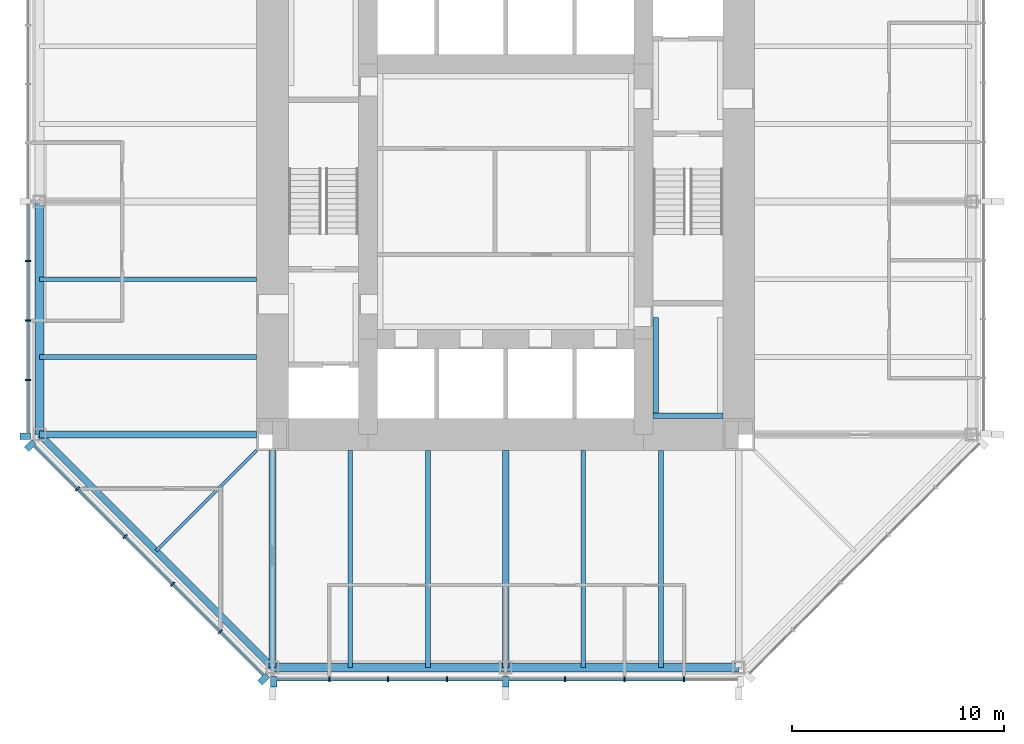
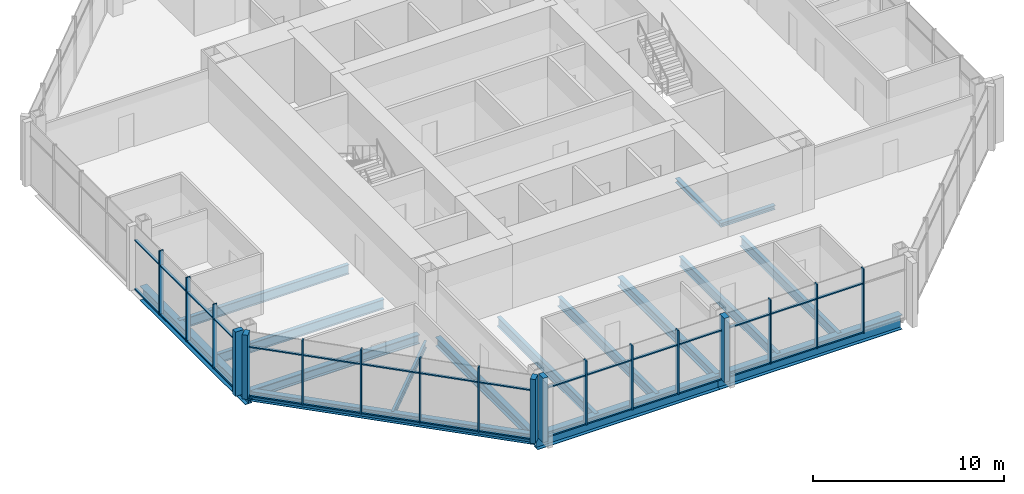
# One storey, part 2 of 12: 50 members, 16 beams, 3 elements without a shape of their own.
"""IFC4 building model written with IfcOpenShell, lengths in metres."""

import ifcopenshell
import ifcopenshell.guid

model = None  # the IFC model being written
_history = None  # IfcOwnerHistory: only IFC2X3 demands one
_inside = {}  # id of a spatial element -> (the spatial element, [elements in it])
_under = {}  # id of a project, library or spatial element -> (it, [spatial elements below it])
_declared = {}  # id of a project -> (the project, [libraries it declares])
_typed = {}  # id of a type object -> (the type object, [elements of that type])
_made_of = {}  # id of a material, layer set ... -> (it, [elements and type objects made of it])


def new_model(schema):
    """Start an empty IFC model of exactly this schema.

    Asked for "IFC4X3", IfcOpenShell would pick the latest addendum, in which some entities
    have other attributes; the version numbers below select the first issue.
    IFC2X3 requires an IfcOwnerHistory on every rooted entity: one is made here for all.
    """
    global model, _history
    if schema == "IFC4X3":
        model = ifcopenshell.file(schema_version=(4, 3, 0, 0))
    else:
        model = ifcopenshell.file(schema=schema)
    _inside.clear()
    _under.clear()
    _declared.clear()
    _typed.clear()
    _made_of.clear()
    _history = None
    if model.schema == "IFC2X3":
        org = make("IfcOrganization", Name="unknown")
        user = make(
            "IfcPersonAndOrganization",
            ThePerson=make("IfcPerson", FamilyName="unknown"),
            TheOrganization=org,
        )
        app = make(
            "IfcApplication",
            ApplicationDeveloper=org,
            Version="unknown",
            ApplicationFullName="unknown",
            ApplicationIdentifier="unknown",
        )
        _history = make(
            "IfcOwnerHistory",
            OwningUser=user,
            OwningApplication=app,
            ChangeAction="ADDED",
            CreationDate=0,
        )
    return model


def make(cls, **values):
    """One entity of the class cls with the attributes given. An attribute that is None is left unset."""
    return model.create_entity(
        cls, **{name: value for name, value in values.items() if value is not None}
    )


def rooted(cls, **values):
    """An entity with a GlobalId (a new one), such as an element, a storey or a relation."""
    return make(cls, GlobalId=ifcopenshell.guid.new(), OwnerHistory=_history, **values)


def si_unit(unit_type, name, prefix=None):
    """IfcSIUnit, for example si_unit("LENGTHUNIT", "METRE", prefix="MILLI")."""
    return make("IfcSIUnit", UnitType=unit_type, Prefix=prefix, Name=name)


def assignment(units):
    """IfcUnitAssignment: the units of a project."""
    return None if units is None else make("IfcUnitAssignment", Units=units)


def point(xyz):
    """IfcCartesianPoint."""
    return None if xyz is None else make("IfcCartesianPoint", Coordinates=xyz)


def direction(xyz):
    """IfcDirection."""
    return None if xyz is None else make("IfcDirection", DirectionRatios=xyz)


def frame(location, z_axis=None, x_axis=None):
    """IfcAxis2Placement3D, a coordinate frame: its origin and axes. An axis left out is left unset."""
    return make(
        "IfcAxis2Placement3D",
        Location=point(location),
        Axis=direction(z_axis),
        RefDirection=direction(x_axis),
    )


def frame_2d(location, x_axis=None):
    """IfcAxis2Placement2D, a coordinate frame in the plane: its origin and x axis."""
    return make(
        "IfcAxis2Placement2D", Location=point(location), RefDirection=direction(x_axis)
    )


def origin():
    """The frame at (0, 0, 0) with its axes left unset."""
    return frame((0.0, 0.0, 0.0))


def origin_2d():
    """The frame at (0, 0) in the plane with its x axis left unset."""
    return frame_2d((0.0, 0.0))


def place(relative_to, where):
    """IfcLocalPlacement: puts the frame where relative to a parent placement (None: the world)."""
    return make(
        "IfcLocalPlacement", PlacementRelTo=relative_to, RelativePlacement=where
    )


def context(
    kind, dimensions, precision=None, world=None, true_north=None, identifier=None
):
    """IfcGeometricRepresentationContext, for example the 3D "Model" context."""
    return make(
        "IfcGeometricRepresentationContext",
        ContextIdentifier=identifier,
        ContextType=kind,
        CoordinateSpaceDimension=dimensions,
        Precision=precision,
        WorldCoordinateSystem=world,
        TrueNorth=true_north,
    )


def subcontext(parent, identifier, kind, view, scale=None):
    """IfcGeometricRepresentationSubContext, for example "Body" below "Model"."""
    return make(
        "IfcGeometricRepresentationSubContext",
        ContextIdentifier=identifier,
        ContextType=kind,
        ParentContext=parent,
        TargetScale=scale,
        TargetView=view,
    )


def project(units=None, contexts=None):
    """IfcProject with its units and contexts."""
    return rooted(
        "IfcProject",
        Name="project",
        RepresentationContexts=contexts,
        UnitsInContext=assignment(units),
    )


def spatial(cls, under=None, at=None, **own):
    """A site, building, storey or space (cls), placed at a placement, below another one or the project."""
    s = rooted(cls, ObjectPlacement=at, **own)
    if under is not None:
        _under.setdefault(under.id(), (under, []))[1].append(s)
    return s


def profile(cls, at=None, kind="AREA", **sizes):
    """A parametric profile (cls). Its sizes go by their IFC names, for example OverallWidth=200.0."""
    return make(cls, ProfileType=kind, Position=at, **sizes)


def rectangle(**sizes):
    """IfcRectangleProfileDef."""
    return profile("IfcRectangleProfileDef", **sizes)


def i_section(**sizes):
    """IfcIShapeProfileDef."""
    return profile("IfcIShapeProfileDef", **sizes)


def extrude(swept, where, along, depth):
    """IfcExtrudedAreaSolid: the profile swept, set in the frame where, extruded along a direction by depth."""
    return make(
        "IfcExtrudedAreaSolid",
        SweptArea=swept,
        Position=where,
        ExtrudedDirection=direction(along),
        Depth=depth,
    )


def shape(context_of_items, identifier, shape_type, items):
    """IfcShapeRepresentation: the items that make up one representation, for example the "Body"."""
    return make(
        "IfcShapeRepresentation",
        ContextOfItems=context_of_items,
        RepresentationIdentifier=identifier,
        RepresentationType=shape_type,
        Items=items,
    )


def material(Name=None, Category=None):
    """IfcMaterial."""
    return make("IfcMaterial", Name=Name, Category=Category)


def material_profile(
    of_material, cross_section, Name=None, Category=None, Priority=None
):
    """IfcMaterialProfile: a cross section and its material."""
    return make(
        "IfcMaterialProfile",
        Name=Name,
        Material=of_material,
        Profile=cross_section,
        Priority=Priority,
        Category=Category,
    )


def profile_set(profiles, Name=None, composite=None):
    """IfcMaterialProfileSet."""
    return make(
        "IfcMaterialProfileSet",
        Name=Name,
        MaterialProfiles=profiles,
        CompositeProfile=composite,
    )


def made_of(thing, what):
    """Note that an element or type object is made of a material, layer set ...; save() writes the relation."""
    if what is not None:
        _made_of.setdefault(what.id(), (what, []))[1].append(thing)
    return thing


def type_object(cls, material=None, **own):
    """A type object (cls), such as IfcWallType, which elements share."""
    return made_of(rooted(cls, **own), material)


def element(
    cls,
    number,
    at=None,
    inside=None,
    cuts=None,
    type_object=None,
    material=None,
    context=None,
    identifier="Body",
    shape_type=None,
    held_by="IfcProductDefinitionShape",
    body=None,
    shapes=None,
    **own,
):
    """One element of the class cls, such as IfcWall. Its Tag is "e" and its number.

    at: its placement. inside: the storey or other place that contains it. cuts: it is an
    opening in that element (IfcRelVoidsElement). A single representation is given by context,
    identifier, shape_type and body (its items); several are given by shapes. held_by: the class
    of the entity that holds the representations. save() writes the other relations.
    """
    e = rooted(cls, Tag="e%d" % number, ObjectPlacement=at, **own)
    if body is not None:
        shapes = [shape(context, identifier, shape_type, body)]
    if shapes is not None:
        e.Representation = make(held_by, Representations=shapes)
    if inside is not None:
        _inside.setdefault(inside.id(), (inside, []))[1].append(e)
    if cuts is not None:
        rooted(
            "IfcRelVoidsElement", RelatingBuildingElement=cuts, RelatedOpeningElement=e
        )
    if type_object is not None:
        _typed.setdefault(type_object.id(), (type_object, []))[1].append(e)
    return made_of(e, material)


def aggregate(whole, parts):
    """IfcRelAggregates: a whole, such as a stair, and the parts it consists of."""
    return rooted("IfcRelAggregates", RelatingObject=whole, RelatedObjects=parts)


def save(model, path):
    """Write the relations noted so far, then the file.

    IfcRelAggregates (storeys below a building ...), IfcRelContainedInSpatialStructure (elements
    in a storey), IfcRelDefinesByType, IfcRelAssociatesMaterial and IfcRelDeclares: one each for
    every whole, place, type object, material and project.
    """
    for whole, parts in _under.values():
        aggregate(whole, parts)
    for where, things in _inside.values():
        rooted(
            "IfcRelContainedInSpatialStructure",
            RelatedElements=things,
            RelatingStructure=where,
        )
    for kind, things in _typed.values():
        rooted("IfcRelDefinesByType", RelatedObjects=things, RelatingType=kind)
    for what, things in _made_of.values():
        rooted("IfcRelAssociatesMaterial", RelatedObjects=things, RelatingMaterial=what)
    for by, libraries in _declared.values():
        rooted("IfcRelDeclares", RelatingContext=by, RelatedDefinitions=libraries)
    model.write(path)


model = new_model("IFC4")

# Units and contexts
model_context = context("Model", 3, precision=1e-05, world=origin(), true_north=direction((0.0, 1.0)))
body_context = subcontext(model_context, "Body", "Model", "MODEL_VIEW")
ifc_project = project(units=[si_unit("LENGTHUNIT", "METRE"), si_unit("AREAUNIT", "SQUARE_METRE"), si_unit("VOLUMEUNIT", "CUBIC_METRE"), si_unit("PLANEANGLEUNIT", "RADIAN"), si_unit("MASSUNIT", "GRAM", prefix="KILO")], contexts=[model_context])

# Site, building, storey
site_placement = place(None, origin())
site = spatial("IfcSite", under=ifc_project, at=site_placement, CompositionType="ELEMENT")
building_placement = place(site_placement, origin())
building = spatial("IfcBuilding", under=site, at=building_placement, Name="Trevanion Tower", CompositionType="ELEMENT")
storey_placement = place(building_placement, frame((0.0, 0.0, 154.10009765625)))
storey = spatial("IfcBuildingStorey", under=building, at=storey_placement, Name="L36", CompositionType="ELEMENT", Elevation=154.10009765625)

# Beams
ifc_material_1 = material(Name="Steel ASTM A992 Grade 50", Category="steel")
ifc_material_profile_1 = material_profile(ifc_material_1, i_section(OverallWidth=0.22900390625, OverallDepth=0.612060546875, WebThickness=0.011962890625, FlangeThickness=0.01953125, at=origin_2d()), Name="W24X84")
ifc_profile_set_1 = profile_set([ifc_material_profile_1], Name="Steel ASTM A992 Grade 50")
beam_type_1 = type_object("IfcBeamType", Name="B7 W24X84", PredefinedType="BEAM", material=ifc_profile_set_1)
for number, where, z_axis, x_axis, name in (
    (1, (-11.75, -3.666748046875, -0.49609375), (-1.0, 0.0, 0.0), (0.0, -1.0, 0.0), "B7 L36"),
    (2, (-11.75, -7.333251953125, -0.49609375), (-1.0, 0.0, 0.0), (0.0, -1.0, 0.0), "B7 L36"),
    (3, (-7.333251953125, -11.75, -0.49609375), (0.0, -1.0, 0.0), (1.0, 0.0, 0.0), "B7 L36"),
    (4, (-3.666748046875, -11.75, -0.49609375), (0.0, -1.0, 0.0), (1.0, 0.0, 0.0), "B7 L36"),
    (5, (3.666748046875, -11.75, -0.49609375), (0.0, -1.0, 0.0), (1.0, 0.0, 0.0), "B7 L36"),
    (6, (7.333251953125, -11.75, -0.49609375), (0.0, -1.0, 0.0), (1.0, 0.0, 0.0), "B7 L36"),
):
    element("IfcBeam", number, at=place(storey_placement, frame(where, z_axis=z_axis, x_axis=x_axis)), inside=storey, type_object=beam_type_1, Name=name, PredefinedType="BEAM", context=body_context, shape_type="SweptSolid", body=[
        extrude(i_section(OverallWidth=0.22900390625, OverallDepth=0.612060546875, WebThickness=0.011962890625, FlangeThickness=0.01953125, at=origin_2d()), origin(), (0.0, 0.0, 1.0), 10.25),
    ])
ifc_material_2 = material(Name="Steel ASTM A992 Grade 50", Category="steel")
ifc_material_profile_2 = material_profile(ifc_material_2, i_section(OverallWidth=0.15234375, OverallDepth=0.449462890625, WebThickness=0.007568359375, FlangeThickness=0.0107421875, at=origin_2d()), Name="W18X35")
ifc_profile_set_2 = profile_set([ifc_material_profile_2], Name="Steel ASTM A992 Grade 50")
beam_type_2 = type_object("IfcBeamType", Name="B8 W18X35", PredefinedType="BEAM", material=ifc_profile_set_2)
beam_1_placement = place(storey_placement, frame((-11.75, -11.75, -0.414794921875), z_axis=(-0.707106781187, -0.707106781187, 0.0), x_axis=(0.707106781187, -0.707106781187, 0.0)))
element("IfcBeam", 7, at=beam_1_placement, inside=storey, type_object=beam_type_2, Name="B8 L36", PredefinedType="BEAM", context=body_context, shape_type="SweptSolid", body=[
    extrude(i_section(OverallWidth=0.15234375, OverallDepth=0.449462890625, WebThickness=0.007568359375, FlangeThickness=0.0107421875, at=origin_2d()), origin(), (0.0, 0.0, 1.0), 6.717529296875),
])

# Curtain wall, members
ifc_material_3 = material(Name="Aluminium and glass", Category="aluminium")
curtain_wall_type = type_object("IfcCurtainWallType", Name="CW2 curtain wall", PredefinedType="USERDEFINED", material=ifc_material_3)
curtain_wall_1_placement = place(storey_placement, origin())
curtain_wall_1 = element("IfcCurtainWall", 8, at=curtain_wall_1_placement, inside=storey, type_object=curtain_wall_type, Name="CW2 L36 4", ObjectType="UNITISED CURTAIN WALL", PredefinedType="USERDEFINED")
ifc_material_4 = material(Name="Aluminium extrusion, anodised bronze", Category="aluminium")
ifc_material_profile_3 = material_profile(ifc_material_4, rectangle(XDim=0.074951171875, YDim=0.25, at=origin_2d()), Name="CW2 mullion")
ifc_profile_set_3 = profile_set([ifc_material_profile_3], Name="Aluminium extrusion, anodised bronze")
member_type_1 = type_object("IfcMemberType", Name="CW2 mullion", PredefinedType="MULLION", material=ifc_profile_set_3)
member_1_placement = place(storey_placement, frame((-22.550048828125, -2.806884765625, -0.190185546875), z_axis=(0.0, 0.0, 1.0), x_axis=(0.0, -1.0, 0.0)))
member_1 = element("IfcMember", 9, at=member_1_placement, type_object=member_type_1, Name="CW2 mullion 6", PredefinedType="MULLION", context=body_context, shape_type="SweptSolid", body=[
    extrude(rectangle(XDim=0.074951171875, YDim=0.25, at=origin_2d()), origin(), (0.0, 0.0, 1.0), 4.10009765625),
])
member_2_placement = place(storey_placement, frame((-22.550048828125, -5.614013671875, -0.190185546875), z_axis=(0.0, 0.0, 1.0), x_axis=(0.0, -1.0, 0.0)))
member_2 = element("IfcMember", 10, at=member_2_placement, type_object=member_type_1, Name="CW2 mullion 7", PredefinedType="MULLION", context=body_context, shape_type="SweptSolid", body=[
    extrude(rectangle(XDim=0.074951171875, YDim=0.25, at=origin_2d()), origin(), (0.0, 0.0, 1.0), 4.10009765625),
])
member_3_placement = place(storey_placement, frame((-22.550048828125, -8.4208984375, -0.190185546875), z_axis=(0.0, 0.0, 1.0), x_axis=(0.0, -1.0, 0.0)))
member_3 = element("IfcMember", 11, at=member_3_placement, type_object=member_type_1, Name="CW2 mullion 8", PredefinedType="MULLION", context=body_context, shape_type="SweptSolid", body=[
    extrude(rectangle(XDim=0.074951171875, YDim=0.25, at=origin_2d()), origin(), (0.0, 0.0, 1.0), 4.10009765625),
])

curtain_wall_2_placement = place(storey_placement, origin())
curtain_wall_2 = element("IfcCurtainWall", 12, at=curtain_wall_2_placement, inside=storey, type_object=curtain_wall_type, Name="CW2 L36 5", ObjectType="UNITISED CURTAIN WALL", PredefinedType="USERDEFINED")
member_4_placement = place(storey_placement, frame((-20.2119140625, -13.56591796875, -0.190185546875), z_axis=(0.0, 0.0, 1.0), x_axis=(0.707106781187, -0.707106781187, 0.0)))
member_4 = element("IfcMember", 13, at=member_4_placement, type_object=member_type_1, Name="CW2 mullion 2", PredefinedType="MULLION", context=body_context, shape_type="SweptSolid", body=[
    extrude(rectangle(XDim=0.074951171875, YDim=0.25, at=origin_2d()), origin(), (0.0, 0.0, 1.0), 4.10009765625),
])
member_5_placement = place(storey_placement, frame((-17.966064453125, -15.811767578125, -0.190185546875), z_axis=(0.0, 0.0, 1.0), x_axis=(0.707106781187, -0.707106781187, 0.0)))
member_5 = element("IfcMember", 14, at=member_5_placement, type_object=member_type_1, Name="CW2 mullion 3", PredefinedType="MULLION", context=body_context, shape_type="SweptSolid", body=[
    extrude(rectangle(XDim=0.074951171875, YDim=0.25, at=origin_2d()), origin(), (0.0, 0.0, 1.0), 4.10009765625),
])
member_6_placement = place(storey_placement, frame((-15.719970703125, -18.057861328125, -0.190185546875), z_axis=(0.0, 0.0, 1.0), x_axis=(0.707106781187, -0.707106781187, 0.0)))
member_6 = element("IfcMember", 15, at=member_6_placement, type_object=member_type_1, Name="CW2 mullion 4", PredefinedType="MULLION", context=body_context, shape_type="SweptSolid", body=[
    extrude(rectangle(XDim=0.074951171875, YDim=0.25, at=origin_2d()), origin(), (0.0, 0.0, 1.0), 4.10009765625),
])
member_7_placement = place(storey_placement, frame((-13.473876953125, -20.303955078125, -0.190185546875), z_axis=(0.0, 0.0, 1.0), x_axis=(0.707106781187, -0.707106781187, 0.0)))
member_7 = element("IfcMember", 16, at=member_7_placement, type_object=member_type_1, Name="CW2 mullion 5", PredefinedType="MULLION", context=body_context, shape_type="SweptSolid", body=[
    extrude(rectangle(XDim=0.074951171875, YDim=0.25, at=origin_2d()), origin(), (0.0, 0.0, 1.0), 4.10009765625),
])

curtain_wall_3_placement = place(storey_placement, origin())
curtain_wall_3 = element("IfcCurtainWall", 17, at=curtain_wall_3_placement, inside=storey, type_object=curtain_wall_type, Name="CW2 L36 6", ObjectType="UNITISED CURTAIN WALL", PredefinedType="USERDEFINED")
member_8_placement = place(storey_placement, frame((-8.323486328125, -22.550048828125, -0.190185546875), z_axis=(0.0, 0.0, 1.0), x_axis=(1.0, 0.0, 0.0)))
member_8 = element("IfcMember", 18, at=member_8_placement, type_object=member_type_1, Name="CW2 mullion 2", PredefinedType="MULLION", context=body_context, shape_type="SweptSolid", body=[
    extrude(rectangle(XDim=0.074951171875, YDim=0.25, at=origin_2d()), origin(), (0.0, 0.0, 1.0), 4.10009765625),
])
member_9_placement = place(storey_placement, frame((-5.548828125, -22.550048828125, -0.190185546875), z_axis=(0.0, 0.0, 1.0), x_axis=(1.0, 0.0, 0.0)))
member_9 = element("IfcMember", 19, at=member_9_placement, type_object=member_type_1, Name="CW2 mullion 3", PredefinedType="MULLION", context=body_context, shape_type="SweptSolid", body=[
    extrude(rectangle(XDim=0.074951171875, YDim=0.25, at=origin_2d()), origin(), (0.0, 0.0, 1.0), 4.10009765625),
])
member_10_placement = place(storey_placement, frame((-2.7744140625, -22.550048828125, -0.190185546875), z_axis=(0.0, 0.0, 1.0), x_axis=(1.0, 0.0, 0.0)))
member_10 = element("IfcMember", 20, at=member_10_placement, type_object=member_type_1, Name="CW2 mullion 4", PredefinedType="MULLION", context=body_context, shape_type="SweptSolid", body=[
    extrude(rectangle(XDim=0.074951171875, YDim=0.25, at=origin_2d()), origin(), (0.0, 0.0, 1.0), 4.10009765625),
])
member_11_placement = place(storey_placement, frame((2.806884765625, -22.550048828125, -0.190185546875), z_axis=(0.0, 0.0, 1.0), x_axis=(1.0, 0.0, 0.0)))
member_11 = element("IfcMember", 21, at=member_11_placement, type_object=member_type_1, Name="CW2 mullion 6", PredefinedType="MULLION", context=body_context, shape_type="SweptSolid", body=[
    extrude(rectangle(XDim=0.074951171875, YDim=0.25, at=origin_2d()), origin(), (0.0, 0.0, 1.0), 4.10009765625),
])
member_12_placement = place(storey_placement, frame((5.614013671875, -22.550048828125, -0.190185546875), z_axis=(0.0, 0.0, 1.0), x_axis=(1.0, 0.0, 0.0)))
member_12 = element("IfcMember", 22, at=member_12_placement, type_object=member_type_1, Name="CW2 mullion 7", PredefinedType="MULLION", context=body_context, shape_type="SweptSolid", body=[
    extrude(rectangle(XDim=0.074951171875, YDim=0.25, at=origin_2d()), origin(), (0.0, 0.0, 1.0), 4.10009765625),
])
member_13_placement = place(storey_placement, frame((8.4208984375, -22.550048828125, -0.190185546875), z_axis=(0.0, 0.0, 1.0), x_axis=(1.0, 0.0, 0.0)))
member_13 = element("IfcMember", 23, at=member_13_placement, type_object=member_type_1, Name="CW2 mullion 8", PredefinedType="MULLION", context=body_context, shape_type="SweptSolid", body=[
    extrude(rectangle(XDim=0.074951171875, YDim=0.25, at=origin_2d()), origin(), (0.0, 0.0, 1.0), 4.10009765625),
])

# Member
ifc_material_5 = material(Name="Aluminium extrusion, anodised bronze", Category="aluminium")
ifc_material_profile_4 = material_profile(ifc_material_5, rectangle(XDim=0.300048828125, YDim=0.5, at=origin_2d()), Name="CW2 pier mullion")
ifc_profile_set_4 = profile_set([ifc_material_profile_4], Name="Aluminium extrusion, anodised bronze")
member_type_2 = type_object("IfcMemberType", Name="CW2 pier mullion", PredefinedType="MULLION", material=ifc_profile_set_4)
member_14_placement = place(storey_placement, frame((-22.675048828125, -11.077880859375, -0.190185546875), z_axis=(0.0, 0.0, 1.0), x_axis=(0.0, -1.0, 0.0)))
member_14 = element("IfcMember", 24, at=member_14_placement, type_object=member_type_2, Name="CW2 pier mullion 9", PredefinedType="MULLION", context=body_context, shape_type="SweptSolid", body=[
    extrude(rectangle(XDim=0.300048828125, YDim=0.5, at=origin_2d()), origin(), (0.0, 0.0, 1.0), 4.10009765625),
])

member_15_placement = place(storey_placement, frame((-22.4404296875, -11.51416015625, -0.190185546875), z_axis=(0.0, 0.0, 1.0), x_axis=(0.707106781187, -0.707106781187, 0.0)))
member_15 = element("IfcMember", 25, at=member_15_placement, type_object=member_type_2, Name="CW2 pier mullion 1", PredefinedType="MULLION", context=body_context, shape_type="SweptSolid", body=[
    extrude(rectangle(XDim=0.300048828125, YDim=0.5, at=origin_2d()), origin(), (0.0, 0.0, 1.0), 4.10009765625),
])

member_16_placement = place(storey_placement, frame((-11.42236328125, -22.5322265625, -0.190185546875), z_axis=(0.0, 0.0, 1.0), x_axis=(0.707106781187, -0.707106781187, 0.0)))
member_16 = element("IfcMember", 26, at=member_16_placement, type_object=member_type_2, Name="CW2 pier mullion 6", PredefinedType="MULLION", context=body_context, shape_type="SweptSolid", body=[
    extrude(rectangle(XDim=0.300048828125, YDim=0.5, at=origin_2d()), origin(), (0.0, 0.0, 1.0), 4.10009765625),
])

member_17_placement = place(storey_placement, frame((-10.94775390625, -22.675048828125, -0.190185546875), z_axis=(0.0, 0.0, 1.0), x_axis=(1.0, 0.0, 0.0)))
member_17 = element("IfcMember", 27, at=member_17_placement, type_object=member_type_2, Name="CW2 pier mullion 1", PredefinedType="MULLION", context=body_context, shape_type="SweptSolid", body=[
    extrude(rectangle(XDim=0.300048828125, YDim=0.5, at=origin_2d()), origin(), (0.0, 0.0, 1.0), 4.10009765625),
])

member_18_placement = place(storey_placement, frame((0.0, -22.675048828125, -0.190185546875), z_axis=(0.0, 0.0, 1.0), x_axis=(1.0, 0.0, 0.0)))
member_18 = element("IfcMember", 28, at=member_18_placement, type_object=member_type_2, Name="CW2 pier mullion 5", PredefinedType="MULLION", context=body_context, shape_type="SweptSolid", body=[
    extrude(rectangle(XDim=0.300048828125, YDim=0.5, at=origin_2d()), origin(), (0.0, 0.0, 1.0), 4.10009765625),
])

ifc_material_6 = material(Name="Aluminium extrusion, anodised bronze", Category="aluminium")
ifc_material_profile_5 = material_profile(ifc_material_6, rectangle(XDim=0.14990234375, YDim=0.074951171875, at=origin_2d()), Name="CW2 transom")
ifc_profile_set_5 = profile_set([ifc_material_profile_5], Name="Aluminium extrusion, anodised bronze")
member_type_3 = type_object("IfcMemberType", Name="CW2 transom", PredefinedType="USERDEFINED", material=ifc_profile_set_5)
member_19_placement = place(storey_placement, frame((-22.550048828125, -0.14990234375, -0.152587890625), z_axis=(0.0, -1.0, 0.0), x_axis=(1.0, 0.0, 0.0)))
member_19 = element("IfcMember", 29, at=member_19_placement, type_object=member_type_3, Name="CW2 transom 5.1", ObjectType="TRANSOM", PredefinedType="USERDEFINED", context=body_context, shape_type="SweptSolid", body=[
    extrude(rectangle(XDim=0.14990234375, YDim=0.074951171875, at=origin_2d()), origin(), (0.0, 0.0, 1.0), 2.619384765625),
])

member_20_placement = place(storey_placement, frame((-22.550048828125, -0.14990234375, 2.9599609375), z_axis=(0.0, -1.0, 0.0), x_axis=(1.0, 0.0, 0.0)))
member_20 = element("IfcMember", 30, at=member_20_placement, type_object=member_type_3, Name="CW2 transom 5.2", ObjectType="TRANSOM", PredefinedType="USERDEFINED", context=body_context, shape_type="SweptSolid", body=[
    extrude(rectangle(XDim=0.14990234375, YDim=0.074951171875, at=origin_2d()), origin(), (0.0, 0.0, 1.0), 2.619384765625),
])

member_21_placement = place(storey_placement, frame((-22.550048828125, -2.844482421875, -0.152587890625), z_axis=(0.0, -1.0, 0.0), x_axis=(1.0, 0.0, 0.0)))
member_21 = element("IfcMember", 31, at=member_21_placement, type_object=member_type_3, Name="CW2 transom 6.1", ObjectType="TRANSOM", PredefinedType="USERDEFINED", context=body_context, shape_type="SweptSolid", body=[
    extrude(rectangle(XDim=0.14990234375, YDim=0.074951171875, at=origin_2d()), origin(), (0.0, 0.0, 1.0), 2.73193359375),
])

member_22_placement = place(storey_placement, frame((-22.550048828125, -2.844482421875, 2.9599609375), z_axis=(0.0, -1.0, 0.0), x_axis=(1.0, 0.0, 0.0)))
member_22 = element("IfcMember", 32, at=member_22_placement, type_object=member_type_3, Name="CW2 transom 6.2", ObjectType="TRANSOM", PredefinedType="USERDEFINED", context=body_context, shape_type="SweptSolid", body=[
    extrude(rectangle(XDim=0.14990234375, YDim=0.074951171875, at=origin_2d()), origin(), (0.0, 0.0, 1.0), 2.73193359375),
])

member_23_placement = place(storey_placement, frame((-22.550048828125, -5.6513671875, -0.152587890625), z_axis=(0.0, -1.0, 0.0), x_axis=(1.0, 0.0, 0.0)))
member_23 = element("IfcMember", 33, at=member_23_placement, type_object=member_type_3, Name="CW2 transom 7.1", ObjectType="TRANSOM", PredefinedType="USERDEFINED", context=body_context, shape_type="SweptSolid", body=[
    extrude(rectangle(XDim=0.14990234375, YDim=0.074951171875, at=origin_2d()), origin(), (0.0, 0.0, 1.0), 2.73193359375),
])

member_24_placement = place(storey_placement, frame((-22.550048828125, -5.6513671875, 2.9599609375), z_axis=(0.0, -1.0, 0.0), x_axis=(1.0, 0.0, 0.0)))
member_24 = element("IfcMember", 34, at=member_24_placement, type_object=member_type_3, Name="CW2 transom 7.2", ObjectType="TRANSOM", PredefinedType="USERDEFINED", context=body_context, shape_type="SweptSolid", body=[
    extrude(rectangle(XDim=0.14990234375, YDim=0.074951171875, at=origin_2d()), origin(), (0.0, 0.0, 1.0), 2.73193359375),
])

member_25_placement = place(storey_placement, frame((-22.550048828125, -8.45849609375, -0.152587890625), z_axis=(0.0, -1.0, 0.0), x_axis=(1.0, 0.0, 0.0)))
member_25 = element("IfcMember", 35, at=member_25_placement, type_object=member_type_3, Name="CW2 transom 8.1", ObjectType="TRANSOM", PredefinedType="USERDEFINED", context=body_context, shape_type="SweptSolid", body=[
    extrude(rectangle(XDim=0.14990234375, YDim=0.074951171875, at=origin_2d()), origin(), (0.0, 0.0, 1.0), 2.46923828125),
])

member_26_placement = place(storey_placement, frame((-22.550048828125, -8.45849609375, 2.9599609375), z_axis=(0.0, -1.0, 0.0), x_axis=(1.0, 0.0, 0.0)))
member_26 = element("IfcMember", 36, at=member_26_placement, type_object=member_type_3, Name="CW2 transom 8.2", ObjectType="TRANSOM", PredefinedType="USERDEFINED", context=body_context, shape_type="SweptSolid", body=[
    extrude(rectangle(XDim=0.14990234375, YDim=0.074951171875, at=origin_2d()), origin(), (0.0, 0.0, 1.0), 2.46923828125),
])

aggregate(curtain_wall_1, [member_1, member_2, member_3, member_14, member_19, member_20, member_21, member_22, member_23, member_24, member_25, member_26])

member_27_placement = place(storey_placement, frame((-22.245849609375, -11.531982421875, -0.152587890625), z_axis=(0.707106781187, -0.707106781187, 0.0), x_axis=(0.707106781187, 0.707106781187, 0.0)))
member_27 = element("IfcMember", 37, at=member_27_placement, type_object=member_type_3, Name="CW2 transom 1.1", ObjectType="TRANSOM", PredefinedType="USERDEFINED", context=body_context, shape_type="SweptSolid", body=[
    extrude(rectangle(XDim=0.14990234375, YDim=0.074951171875, at=origin_2d()), origin(), (0.0, 0.0, 1.0), 2.8388671875),
])

member_28_placement = place(storey_placement, frame((-22.245849609375, -11.531982421875, 2.9599609375), z_axis=(0.707106781187, -0.707106781187, 0.0), x_axis=(0.707106781187, 0.707106781187, 0.0)))
member_28 = element("IfcMember", 38, at=member_28_placement, type_object=member_type_3, Name="CW2 transom 1.2", ObjectType="TRANSOM", PredefinedType="USERDEFINED", context=body_context, shape_type="SweptSolid", body=[
    extrude(rectangle(XDim=0.14990234375, YDim=0.074951171875, at=origin_2d()), origin(), (0.0, 0.0, 1.0), 2.8388671875),
])

member_29_placement = place(storey_placement, frame((-20.185546875, -13.59228515625, -0.152587890625), z_axis=(0.707106781187, -0.707106781187, 0.0), x_axis=(0.707106781187, 0.707106781187, 0.0)))
member_29 = element("IfcMember", 39, at=member_29_placement, type_object=member_type_3, Name="CW2 transom 2.1", ObjectType="TRANSOM", PredefinedType="USERDEFINED", context=body_context, shape_type="SweptSolid", body=[
    extrude(rectangle(XDim=0.14990234375, YDim=0.074951171875, at=origin_2d()), origin(), (0.0, 0.0, 1.0), 3.1015625),
])

member_30_placement = place(storey_placement, frame((-20.185546875, -13.59228515625, 2.9599609375), z_axis=(0.707106781187, -0.707106781187, 0.0), x_axis=(0.707106781187, 0.707106781187, 0.0)))
member_30 = element("IfcMember", 40, at=member_30_placement, type_object=member_type_3, Name="CW2 transom 2.2", ObjectType="TRANSOM", PredefinedType="USERDEFINED", context=body_context, shape_type="SweptSolid", body=[
    extrude(rectangle(XDim=0.14990234375, YDim=0.074951171875, at=origin_2d()), origin(), (0.0, 0.0, 1.0), 3.1015625),
])

member_31_placement = place(storey_placement, frame((-17.939453125, -15.83837890625, -0.152587890625), z_axis=(0.707106781187, -0.707106781187, 0.0), x_axis=(0.707106781187, 0.707106781187, 0.0)))
member_31 = element("IfcMember", 41, at=member_31_placement, type_object=member_type_3, Name="CW2 transom 3.1", ObjectType="TRANSOM", PredefinedType="USERDEFINED", context=body_context, shape_type="SweptSolid", body=[
    extrude(rectangle(XDim=0.14990234375, YDim=0.074951171875, at=origin_2d()), origin(), (0.0, 0.0, 1.0), 3.1015625),
])

member_32_placement = place(storey_placement, frame((-17.939453125, -15.83837890625, 2.9599609375), z_axis=(0.707106781187, -0.707106781187, 0.0), x_axis=(0.707106781187, 0.707106781187, 0.0)))
member_32 = element("IfcMember", 42, at=member_32_placement, type_object=member_type_3, Name="CW2 transom 3.2", ObjectType="TRANSOM", PredefinedType="USERDEFINED", context=body_context, shape_type="SweptSolid", body=[
    extrude(rectangle(XDim=0.14990234375, YDim=0.074951171875, at=origin_2d()), origin(), (0.0, 0.0, 1.0), 3.1015625),
])

member_33_placement = place(storey_placement, frame((-15.693359375, -18.08447265625, -0.152587890625), z_axis=(0.707106781187, -0.707106781187, 0.0), x_axis=(0.707106781187, 0.707106781187, 0.0)))
member_33 = element("IfcMember", 43, at=member_33_placement, type_object=member_type_3, Name="CW2 transom 4.1", ObjectType="TRANSOM", PredefinedType="USERDEFINED", context=body_context, shape_type="SweptSolid", body=[
    extrude(rectangle(XDim=0.14990234375, YDim=0.074951171875, at=origin_2d()), origin(), (0.0, 0.0, 1.0), 3.10107421875),
])

member_34_placement = place(storey_placement, frame((-15.693359375, -18.08447265625, 2.9599609375), z_axis=(0.707106781187, -0.707106781187, 0.0), x_axis=(0.707106781187, 0.707106781187, 0.0)))
member_34 = element("IfcMember", 44, at=member_34_placement, type_object=member_type_3, Name="CW2 transom 4.2", ObjectType="TRANSOM", PredefinedType="USERDEFINED", context=body_context, shape_type="SweptSolid", body=[
    extrude(rectangle(XDim=0.14990234375, YDim=0.074951171875, at=origin_2d()), origin(), (0.0, 0.0, 1.0), 3.10107421875),
])

member_35_placement = place(storey_placement, frame((-13.447509765625, -20.33056640625, -0.152587890625), z_axis=(0.707149778163, -0.707063781595, 0.0), x_axis=(0.707063781595, 0.707149778163, 0.0)))
member_35 = element("IfcMember", 45, at=member_35_placement, type_object=member_type_3, Name="CW2 transom 5.1", ObjectType="TRANSOM", PredefinedType="USERDEFINED", context=body_context, shape_type="SweptSolid", body=[
    extrude(rectangle(XDim=0.14990234375, YDim=0.074951171875, at=origin_2d()), origin(), (0.0, 0.0, 1.0), 2.8388671875),
])

member_36_placement = place(storey_placement, frame((-13.447509765625, -20.33056640625, 2.9599609375), z_axis=(0.707149778163, -0.707063781595, 0.0), x_axis=(0.707063781595, 0.707149778163, 0.0)))
member_36 = element("IfcMember", 46, at=member_36_placement, type_object=member_type_3, Name="CW2 transom 5.2", ObjectType="TRANSOM", PredefinedType="USERDEFINED", context=body_context, shape_type="SweptSolid", body=[
    extrude(rectangle(XDim=0.14990234375, YDim=0.074951171875, at=origin_2d()), origin(), (0.0, 0.0, 1.0), 2.8388671875),
])

aggregate(curtain_wall_2, [member_15, member_4, member_5, member_6, member_7, member_16, member_27, member_28, member_29, member_30, member_31, member_32, member_33, member_34, member_35, member_36])

member_37_placement = place(storey_placement, frame((-10.7978515625, -22.550048828125, -0.152587890625), z_axis=(1.0, 0.0, 0.0), x_axis=(0.0, 1.0, 0.0)))
member_37 = element("IfcMember", 47, at=member_37_placement, type_object=member_type_3, Name="CW2 transom 1.1", ObjectType="TRANSOM", PredefinedType="USERDEFINED", context=body_context, shape_type="SweptSolid", body=[
    extrude(rectangle(XDim=0.14990234375, YDim=0.074951171875, at=origin_2d()), origin(), (0.0, 0.0, 1.0), 2.43701171875),
])

member_38_placement = place(storey_placement, frame((-10.7978515625, -22.550048828125, 2.9599609375), z_axis=(1.0, 0.0, 0.0), x_axis=(0.0, 1.0, 0.0)))
member_38 = element("IfcMember", 48, at=member_38_placement, type_object=member_type_3, Name="CW2 transom 1.2", ObjectType="TRANSOM", PredefinedType="USERDEFINED", context=body_context, shape_type="SweptSolid", body=[
    extrude(rectangle(XDim=0.14990234375, YDim=0.074951171875, at=origin_2d()), origin(), (0.0, 0.0, 1.0), 2.43701171875),
])

member_39_placement = place(storey_placement, frame((-8.285888671875, -22.550048828125, -0.152587890625), z_axis=(1.0, 0.0, 0.0), x_axis=(0.0, 1.0, 0.0)))
member_39 = element("IfcMember", 49, at=member_39_placement, type_object=member_type_3, Name="CW2 transom 2.1", ObjectType="TRANSOM", PredefinedType="USERDEFINED", context=body_context, shape_type="SweptSolid", body=[
    extrude(rectangle(XDim=0.14990234375, YDim=0.074951171875, at=origin_2d()), origin(), (0.0, 0.0, 1.0), 2.699462890625),
])

member_40_placement = place(storey_placement, frame((-8.285888671875, -22.550048828125, 2.9599609375), z_axis=(1.0, 0.0, 0.0), x_axis=(0.0, 1.0, 0.0)))
member_40 = element("IfcMember", 50, at=member_40_placement, type_object=member_type_3, Name="CW2 transom 2.2", ObjectType="TRANSOM", PredefinedType="USERDEFINED", context=body_context, shape_type="SweptSolid", body=[
    extrude(rectangle(XDim=0.14990234375, YDim=0.074951171875, at=origin_2d()), origin(), (0.0, 0.0, 1.0), 2.699462890625),
])

member_41_placement = place(storey_placement, frame((-5.511474609375, -22.550048828125, -0.152587890625), z_axis=(1.0, 0.0, 0.0), x_axis=(0.0, 1.0, 0.0)))
member_41 = element("IfcMember", 51, at=member_41_placement, type_object=member_type_3, Name="CW2 transom 3.1", ObjectType="TRANSOM", PredefinedType="USERDEFINED", context=body_context, shape_type="SweptSolid", body=[
    extrude(rectangle(XDim=0.14990234375, YDim=0.074951171875, at=origin_2d()), origin(), (0.0, 0.0, 1.0), 2.699462890625),
])

member_42_placement = place(storey_placement, frame((-5.511474609375, -22.550048828125, 2.9599609375), z_axis=(1.0, 0.0, 0.0), x_axis=(0.0, 1.0, 0.0)))
member_42 = element("IfcMember", 52, at=member_42_placement, type_object=member_type_3, Name="CW2 transom 3.2", ObjectType="TRANSOM", PredefinedType="USERDEFINED", context=body_context, shape_type="SweptSolid", body=[
    extrude(rectangle(XDim=0.14990234375, YDim=0.074951171875, at=origin_2d()), origin(), (0.0, 0.0, 1.0), 2.699462890625),
])

member_43_placement = place(storey_placement, frame((-2.737060546875, -22.550048828125, -0.152587890625), z_axis=(1.0, 0.0, 0.0), x_axis=(0.0, 1.0, 0.0)))
member_43 = element("IfcMember", 53, at=member_43_placement, type_object=member_type_3, Name="CW2 transom 4.1", ObjectType="TRANSOM", PredefinedType="USERDEFINED", context=body_context, shape_type="SweptSolid", body=[
    extrude(rectangle(XDim=0.14990234375, YDim=0.074951171875, at=origin_2d()), origin(), (0.0, 0.0, 1.0), 2.587158203125),
])

member_44_placement = place(storey_placement, frame((-2.737060546875, -22.550048828125, 2.9599609375), z_axis=(1.0, 0.0, 0.0), x_axis=(0.0, 1.0, 0.0)))
member_44 = element("IfcMember", 54, at=member_44_placement, type_object=member_type_3, Name="CW2 transom 4.2", ObjectType="TRANSOM", PredefinedType="USERDEFINED", context=body_context, shape_type="SweptSolid", body=[
    extrude(rectangle(XDim=0.14990234375, YDim=0.074951171875, at=origin_2d()), origin(), (0.0, 0.0, 1.0), 2.587158203125),
])

member_45_placement = place(storey_placement, frame((0.14990234375, -22.550048828125, -0.152587890625), z_axis=(1.0, 0.0, 0.0), x_axis=(0.0, 1.0, 0.0)))
member_45 = element("IfcMember", 55, at=member_45_placement, type_object=member_type_3, Name="CW2 transom 5.1", ObjectType="TRANSOM", PredefinedType="USERDEFINED", context=body_context, shape_type="SweptSolid", body=[
    extrude(rectangle(XDim=0.14990234375, YDim=0.074951171875, at=origin_2d()), origin(), (0.0, 0.0, 1.0), 2.619384765625),
])

member_46_placement = place(storey_placement, frame((0.14990234375, -22.550048828125, 2.9599609375), z_axis=(1.0, 0.0, 0.0), x_axis=(0.0, 1.0, 0.0)))
member_46 = element("IfcMember", 56, at=member_46_placement, type_object=member_type_3, Name="CW2 transom 5.2", ObjectType="TRANSOM", PredefinedType="USERDEFINED", context=body_context, shape_type="SweptSolid", body=[
    extrude(rectangle(XDim=0.14990234375, YDim=0.074951171875, at=origin_2d()), origin(), (0.0, 0.0, 1.0), 2.619384765625),
])

member_47_placement = place(storey_placement, frame((2.844482421875, -22.550048828125, -0.152587890625), z_axis=(1.0, 0.0, 0.0), x_axis=(0.0, 1.0, 0.0)))
member_47 = element("IfcMember", 57, at=member_47_placement, type_object=member_type_3, Name="CW2 transom 6.1", ObjectType="TRANSOM", PredefinedType="USERDEFINED", context=body_context, shape_type="SweptSolid", body=[
    extrude(rectangle(XDim=0.14990234375, YDim=0.074951171875, at=origin_2d()), origin(), (0.0, 0.0, 1.0), 2.73193359375),
])

member_48_placement = place(storey_placement, frame((2.844482421875, -22.550048828125, 2.9599609375), z_axis=(1.0, 0.0, 0.0), x_axis=(0.0, 1.0, 0.0)))
member_48 = element("IfcMember", 58, at=member_48_placement, type_object=member_type_3, Name="CW2 transom 6.2", ObjectType="TRANSOM", PredefinedType="USERDEFINED", context=body_context, shape_type="SweptSolid", body=[
    extrude(rectangle(XDim=0.14990234375, YDim=0.074951171875, at=origin_2d()), origin(), (0.0, 0.0, 1.0), 2.73193359375),
])

member_49_placement = place(storey_placement, frame((5.6513671875, -22.550048828125, -0.152587890625), z_axis=(1.0, 0.0, 0.0), x_axis=(0.0, 1.0, 0.0)))
member_49 = element("IfcMember", 59, at=member_49_placement, type_object=member_type_3, Name="CW2 transom 7.1", ObjectType="TRANSOM", PredefinedType="USERDEFINED", context=body_context, shape_type="SweptSolid", body=[
    extrude(rectangle(XDim=0.14990234375, YDim=0.074951171875, at=origin_2d()), origin(), (0.0, 0.0, 1.0), 2.73193359375),
])

member_50_placement = place(storey_placement, frame((5.6513671875, -22.550048828125, 2.9599609375), z_axis=(1.0, 0.0, 0.0), x_axis=(0.0, 1.0, 0.0)))
member_50 = element("IfcMember", 60, at=member_50_placement, type_object=member_type_3, Name="CW2 transom 7.2", ObjectType="TRANSOM", PredefinedType="USERDEFINED", context=body_context, shape_type="SweptSolid", body=[
    extrude(rectangle(XDim=0.14990234375, YDim=0.074951171875, at=origin_2d()), origin(), (0.0, 0.0, 1.0), 2.73193359375),
])

aggregate(curtain_wall_3, [member_17, member_8, member_9, member_10, member_18, member_11, member_12, member_13, member_37, member_38, member_39, member_40, member_41, member_42, member_43, member_44, member_45, member_46, member_47, member_48, member_49, member_50])

# Beams
ifc_material_7 = material(Name="Steel ASTM A992 Grade 50", Category="steel")
ifc_material_profile_6 = material_profile(ifc_material_7, i_section(OverallWidth=0.320068359375, OverallDepth=0.584228515625, WebThickness=0.023193359375, FlangeThickness=0.04150390625, at=origin_2d()), Name="W21X201")
ifc_profile_set_6 = profile_set([ifc_material_profile_6], Name="Steel ASTM A992 Grade 50")
beam_type_3 = type_object("IfcBeamType", Name="G4 W21X201", PredefinedType="BEAM", material=ifc_profile_set_6)
for number, where, z_axis, x_axis, name in (
    (61, (-11.75, -11.0, -0.482177734375), (-1.0, 0.0, 0.0), (0.0, -1.0, 0.0), "G4 L36"),
    (62, (-11.0, -11.75, -0.482177734375), (0.0, -1.0, 0.0), (1.0, 0.0, 0.0), "G4 L36"),
    (63, (0.0, -11.75, -0.482177734375), (0.0, -1.0, 0.0), (1.0, 0.0, 0.0), "G4 L36"),
):
    element("IfcBeam", number, at=place(storey_placement, frame(where, z_axis=z_axis, x_axis=x_axis)), inside=storey, type_object=beam_type_3, Name=name, PredefinedType="BEAM", context=body_context, shape_type="SweptSolid", body=[
        extrude(i_section(OverallWidth=0.320068359375, OverallDepth=0.584228515625, WebThickness=0.023193359375, FlangeThickness=0.04150390625, at=origin_2d()), origin(), (0.0, 0.0, 1.0), 10.25),
    ])
ifc_material_8 = material(Name="Steel ASTM A992 Grade 50", Category="steel")
ifc_material_profile_7 = material_profile(ifc_material_8, i_section(OverallWidth=0.256591796875, OverallDepth=0.26416015625, WebThickness=0.011962890625, FlangeThickness=0.01953125, at=origin_2d()), Name="W10X68")
ifc_profile_set_7 = profile_set([ifc_material_profile_7], Name="Steel ASTM A992 Grade 50")
beam_type_4 = type_object("IfcBeamType", Name="LB1 W10X68", PredefinedType="BEAM", material=ifc_profile_set_7)
beam_2_placement = place(storey_placement, frame((7.078369140625, -10.25, -0.332275390625), z_axis=(0.0, 1.0, 0.0), x_axis=(-1.0, 0.0, 0.0)))
element("IfcBeam", 64, at=beam_2_placement, inside=storey, type_object=beam_type_4, Name="LB1 L36", PredefinedType="BEAM", context=body_context, shape_type="SweptSolid", body=[
    extrude(i_section(OverallWidth=0.256591796875, OverallDepth=0.26416015625, WebThickness=0.011962890625, FlangeThickness=0.01953125, at=origin_2d()), origin(), (0.0, 0.0, 1.0), 4.77490234375),
])
beam_3_placement = place(storey_placement, frame((6.949951171875, -10.12158203125, -0.332275390625), z_axis=(1.0, 0.0, 0.0), x_axis=(0.0, 1.0, 0.0)))
element("IfcBeam", 65, at=beam_3_placement, inside=storey, type_object=beam_type_4, Name="LB1 L36", PredefinedType="BEAM", context=body_context, shape_type="SweptSolid", body=[
    extrude(i_section(OverallWidth=0.256591796875, OverallDepth=0.26416015625, WebThickness=0.011962890625, FlangeThickness=0.01953125, at=origin_2d()), origin(), (0.0, 0.0, 1.0), 3.300048828125),
])
ifc_material_9 = material(Name="Steel ASTM A992 Grade 50", Category="steel")
ifc_material_profile_8 = material_profile(ifc_material_9, i_section(OverallWidth=0.419189453125, OverallDepth=0.927001953125, WebThickness=0.019287109375, FlangeThickness=0.031982421875, at=origin_2d()), Name="W36X231")
ifc_profile_set_8 = profile_set([ifc_material_profile_8], Name="Steel ASTM A992 Grade 50")
beam_type_5 = type_object("IfcBeamType", Name="SB4 W36X231", PredefinedType="SPANDREL", material=ifc_profile_set_8)
for number, where, z_axis, x_axis, name in (
    (66, (-22.0, 0.0, -0.65380859375), (0.0, -1.0, 0.0), (1.0, 0.0, 0.0), "SB4 L36"),
    (67, (-11.0, -22.0, -0.65380859375), (1.0, 0.0, 0.0), (0.0, 1.0, 0.0), "SB4 L36"),
    (68, (0.0, -22.0, -0.65380859375), (1.0, 0.0, 0.0), (0.0, 1.0, 0.0), "SB4 L36"),
):
    element("IfcBeam", number, at=place(storey_placement, frame(where, z_axis=z_axis, x_axis=x_axis)), inside=storey, type_object=beam_type_5, Name=name, PredefinedType="SPANDREL", context=body_context, shape_type="SweptSolid", body=[
        extrude(i_section(OverallWidth=0.419189453125, OverallDepth=0.927001953125, WebThickness=0.019287109375, FlangeThickness=0.031982421875, at=origin_2d()), origin(), (0.0, 0.0, 1.0), 11.0),
    ])
ifc_material_10 = material(Name="Steel ASTM A992 Grade 50", Category="steel")
ifc_material_profile_9 = material_profile(ifc_material_10, i_section(OverallWidth=0.32763671875, OverallDepth=0.62744140625, WebThickness=0.0166015625, FlangeThickness=0.027587890625, at=origin_2d()), Name="W24X146")
ifc_profile_set_9 = profile_set([ifc_material_profile_9], Name="Steel ASTM A992 Grade 50")
beam_type_6 = type_object("IfcBeamType", Name="SB5 W24X146", PredefinedType="SPANDREL", material=ifc_profile_set_9)
beam_4_placement = place(storey_placement, frame((-22.0, -11.0, -0.50390625), z_axis=(0.707106781187, -0.707106781187, 0.0), x_axis=(0.707106781187, 0.707106781187, 0.0)))
element("IfcBeam", 69, at=beam_4_placement, inside=storey, type_object=beam_type_6, Name="SB5 L36", PredefinedType="SPANDREL", context=body_context, shape_type="SweptSolid", body=[
    extrude(i_section(OverallWidth=0.32763671875, OverallDepth=0.62744140625, WebThickness=0.0166015625, FlangeThickness=0.027587890625, at=origin_2d()), origin(), (0.0, 0.0, 1.0), 15.556396484375),
])

save(model, "model.ifc")
